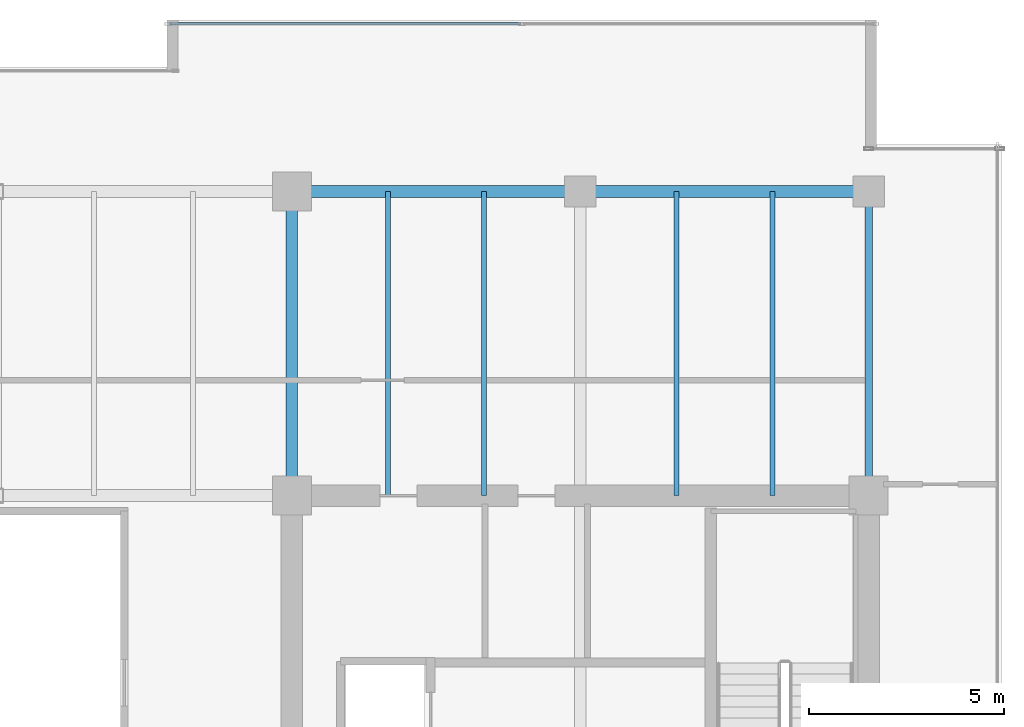
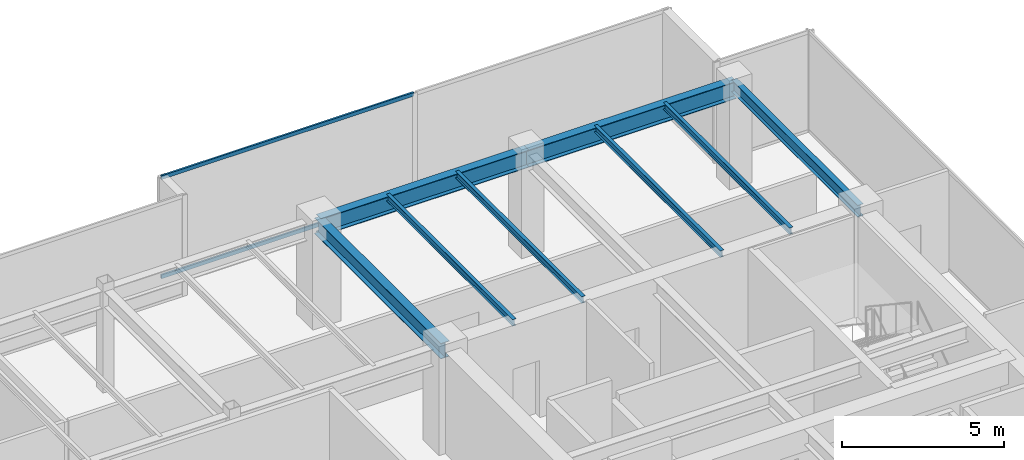
# One storey, part 20 of 33: 8 beams, 2 members, 1 element without a shape of its own.
"""IFC4 building model written with IfcOpenShell, lengths in metres."""

from ifc_helpers import new_model, si_unit, direction, frame, origin, origin_2d, place, context, subcontext, project, spatial, hollow_rectangle, i_section, extrude, source, transform, mapped, material, layer, layer_set, material_profile, profile_set, type_object, type_shapes, element, aggregate, save


model = new_model("IFC4")

# Units and contexts
model_context = context("Model", 3, precision=1e-05, world=origin(), true_north=direction((0.0, 1.0)))
body_context = subcontext(model_context, "Body", "Model", "MODEL_VIEW")
ifc_project = project(units=[si_unit("LENGTHUNIT", "METRE"), si_unit("AREAUNIT", "SQUARE_METRE"), si_unit("VOLUMEUNIT", "CUBIC_METRE"), si_unit("PLANEANGLEUNIT", "RADIAN"), si_unit("MASSUNIT", "GRAM", prefix="KILO")], contexts=[model_context])

# Site, building, storey
site_placement = place(None, origin())
site = spatial("IfcSite", under=ifc_project, at=site_placement, CompositionType="ELEMENT")
building_placement = place(site_placement, origin())
building = spatial("IfcBuilding", under=site, at=building_placement, Name="Haelvirn Gate Laboratories", CompositionType="ELEMENT")
storey_placement = place(building_placement, frame((0.0, 0.0, 279.300048828125)))
storey = spatial("IfcBuildingStorey", under=building, at=storey_placement, Name="L67", CompositionType="ELEMENT", Elevation=279.300048828125)

# Beams
ifc_material_1 = material(Name="Steel SM355", Category="steel")
ifc_material_profile_1 = material_profile(ifc_material_1, i_section(OverallWidth=0.300048828125, OverallDepth=0.587890625, WebThickness=0.011962890625, FlangeThickness=0.02001953125, at=origin_2d()), Name="H-588x300x12x20")
ifc_profile_set_1 = profile_set([ifc_material_profile_1], Name="Steel SM355")
beam_type_1 = type_object("IfcBeamType", Name="BM-G-588", PredefinedType="BEAM", material=ifc_profile_set_1)
shared_shape_1 = source(origin(), body_context, "Body", "SweptSolid", [
    extrude(i_section(OverallWidth=0.300048828125, OverallDepth=0.587890625, WebThickness=0.011962890625, FlangeThickness=0.02001953125, at=origin_2d()), origin(), (0.0, 0.0, 1.0), 7.800048828125),
])
type_shapes(beam_type_1, [shared_shape_1])
beam_1_placement = place(storey_placement, frame((52.60009765625, 33.800048828125, 3.505859375), z_axis=(0.0, 1.0, 0.0), x_axis=(-1.0, 0.0, 0.0)))
element("IfcBeam", 1, at=beam_1_placement, inside=storey, type_object=beam_type_1, Name="L67 Frame Girder X52.6 (33.8-41.6)", PredefinedType="BEAM", context=body_context, shape_type="MappedRepresentation", body=[
    mapped(shared_shape_1, transform((0.0, 0.0, 0.0), scale=1.0)),
])
ifc_material_profile_2 = material_profile(ifc_material_1, i_section(OverallWidth=0.300048828125, OverallDepth=0.64990234375, WebThickness=0.012939453125, FlangeThickness=0.02197265625, at=origin_2d()), Name="H-650x300x13x22")
ifc_profile_set_2 = profile_set([ifc_material_profile_2], Name="Steel SM355")
beam_type_2 = type_object("IfcBeamType", Name="BM-G-650", PredefinedType="BEAM", material=ifc_profile_set_2)
shared_shape_2 = source(origin(), body_context, "Body", "SweptSolid", [
    extrude(i_section(OverallWidth=0.300048828125, OverallDepth=0.64990234375, WebThickness=0.012939453125, FlangeThickness=0.02197265625, at=origin_2d()), origin(), (0.0, 0.0, 1.0), 7.39990234375),
])
type_shapes(beam_type_2, [shared_shape_2])
for number, where, z_axis, x_axis, name in (
    (2, (52.60009765625, 41.60009765625, 3.474853515625), (1.0, 0.0, 0.0), (0.0, 1.0, 0.0), "L67 Primary Girder Y41.6 (52.6-60.0)"),
    (3, (60.0, 41.60009765625, 3.474853515625), (1.0, 0.0, 0.0), (0.0, 1.0, 0.0), "L67 Primary Girder Y41.6 (60.0-67.4)"),
):
    element("IfcBeam", number, at=place(storey_placement, frame(where, z_axis=z_axis, x_axis=x_axis)), inside=storey, type_object=beam_type_2, Name=name, PredefinedType="BEAM", context=body_context, shape_type="MappedRepresentation", body=[
        mapped(shared_shape_2, transform((0.0, 0.0, 0.0), scale=1.0)),
    ])
ifc_material_profile_3 = material_profile(ifc_material_1, i_section(OverallWidth=0.199951171875, OverallDepth=0.449951171875, WebThickness=0.009033203125, FlangeThickness=0.013916015625, at=origin_2d()), Name="H-450x200x9x14")
ifc_profile_set_3 = profile_set([ifc_material_profile_3], Name="Steel SM355")
beam_type_3 = type_object("IfcBeamType", Name="BM-SP-450", PredefinedType="SPANDREL", material=ifc_profile_set_3)
shared_shape_3 = source(origin(), body_context, "Body", "SweptSolid", [
    extrude(i_section(OverallWidth=0.199951171875, OverallDepth=0.449951171875, WebThickness=0.009033203125, FlangeThickness=0.013916015625, at=origin_2d()), origin(), (0.0, 0.0, 1.0), 7.800048828125),
])
type_shapes(beam_type_3, [shared_shape_3])
beam_2_placement = place(storey_placement, frame((67.39990234375, 33.800048828125, 3.574951171875), z_axis=(0.0, 1.0, 0.0), x_axis=(-1.0, 0.0, 0.0)))
element("IfcBeam", 4, at=beam_2_placement, inside=storey, type_object=beam_type_3, Name="L67 Perimeter Spandrel X67.4 (33.8-41.6)", PredefinedType="SPANDREL", context=body_context, shape_type="MappedRepresentation", body=[
    mapped(shared_shape_3, transform((0.0, 0.0, 0.0), scale=1.0)),
])
ifc_material_profile_4 = material_profile(ifc_material_1, i_section(OverallWidth=0.125, OverallDepth=0.25, WebThickness=0.006103515625, FlangeThickness=0.009033203125, at=origin_2d()), Name="H-250x125x6x9")
ifc_profile_set_4 = profile_set([ifc_material_profile_4], Name="Steel SM355")
beam_type_4 = type_object("IfcBeamType", Name="BM-J-250", PredefinedType="JOIST", material=ifc_profile_set_4)
shared_shape_4 = source(origin(), body_context, "Body", "SweptSolid", [
    extrude(i_section(OverallWidth=0.125, OverallDepth=0.25, WebThickness=0.006103515625, FlangeThickness=0.009033203125, at=origin_2d()), origin(), (0.0, 0.0, 1.0), 7.800048828125),
])
type_shapes(beam_type_4, [shared_shape_4])
for number, where, z_axis, x_axis, name in (
    (5, (55.070068359375, 33.800048828125, 3.675048828125), (0.0, 1.0, 0.0), (-1.0, 0.0, 0.0), "L67 Composite Lab Joist North X55.07"),
    (6, (57.530029296875, 33.800048828125, 3.675048828125), (0.0, 1.0, 0.0), (-1.0, 0.0, 0.0), "L67 Composite Lab Joist North X57.53"),
    (7, (62.469970703125, 33.800048828125, 3.675048828125), (0.0, 1.0, 0.0), (-1.0, 0.0, 0.0), "L67 Composite Lab Joist North X62.47"),
    (8, (64.929931640625, 33.800048828125, 3.675048828125), (0.0, 1.0, 0.0), (-1.0, 0.0, 0.0), "L67 Composite Lab Joist North X64.93"),
):
    element("IfcBeam", number, at=place(storey_placement, frame(where, z_axis=z_axis, x_axis=x_axis)), inside=storey, type_object=beam_type_4, Name=name, PredefinedType="JOIST", context=body_context, shape_type="MappedRepresentation", body=[
        mapped(shared_shape_4, transform((0.0, 0.0, 0.0), scale=1.0)),
    ])

# Curtain wall, members
ifc_material_2 = material(Name="Anodised bronze unitised aluminium & triple low-E glass", Category="aluminium")
ifc_layer = layer(ifc_material_2, 0.176025390625, Name="CW-SYS-4")
ifc_layer_set = layer_set([ifc_layer], Name="Anodised bronze unitised aluminium & triple low-E glass")
curtain_wall_type = type_object("IfcCurtainWallType", Name="CW-SYS-4", PredefinedType="NOTDEFINED", material=ifc_layer_set)
curtain_wall_placement = place(storey_placement, origin())
curtain_wall = element("IfcCurtainWall", 9, at=curtain_wall_placement, inside=storey, type_object=curtain_wall_type, Name="L67 Unitised Curtain Wall CW-L67-P0-E10-1", PredefinedType="NOTDEFINED")
ifc_material_3 = material(Name="Extruded aluminium 6063-T6 (anodised bronze)", Category="aluminium")
ifc_material_profile_5 = material_profile(ifc_material_3, hollow_rectangle(XDim=0.06494140625, YDim=0.139892578125, WallThickness=0.00390625, at=origin_2d()), Name="CWT-140x65x4")
ifc_profile_set_5 = profile_set([ifc_material_profile_5], Name="Extruded aluminium 6063-T6 (anodised bronze)")
member_type = type_object("IfcMemberType", Name="CWT-T140", PredefinedType="USERDEFINED", material=ifc_profile_set_5)
shared_shape_5 = source(origin(), body_context, "Body", "SweptSolid", [
    extrude(hollow_rectangle(XDim=0.06494140625, YDim=0.139892578125, WallThickness=0.00390625, at=origin_2d()), origin(), (0.0, 0.0, 1.0), 8.9951171875),
])
type_shapes(member_type, [shared_shape_5])
member_1_placement = place(storey_placement, frame((49.469970703125, 45.89990234375, 0.032470703125), z_axis=(1.0, 0.0, 0.0), x_axis=(0.0, 1.0, 0.0)))
member_1 = element("IfcMember", 10, at=member_1_placement, type_object=member_type, Name="CW4 transom 1.1", ObjectType="TRANSOM", PredefinedType="USERDEFINED", context=body_context, shape_type="MappedRepresentation", body=[
    mapped(shared_shape_5, transform((0.0, 0.0, 0.0), scale=1.0)),
])
member_2_placement = place(storey_placement, frame((49.469970703125, 45.89990234375, 3.767333984375), z_axis=(1.0, 0.0, 0.0), x_axis=(0.0, 1.0, 0.0)))
member_2 = element("IfcMember", 11, at=member_2_placement, type_object=member_type, Name="CW4 transom 1.2", ObjectType="TRANSOM", PredefinedType="USERDEFINED", context=body_context, shape_type="MappedRepresentation", body=[
    mapped(shared_shape_5, transform((0.0, 0.0, 0.0), scale=1.0)),
])
aggregate(curtain_wall, [member_1, member_2])

save(model, "model.ifc")
